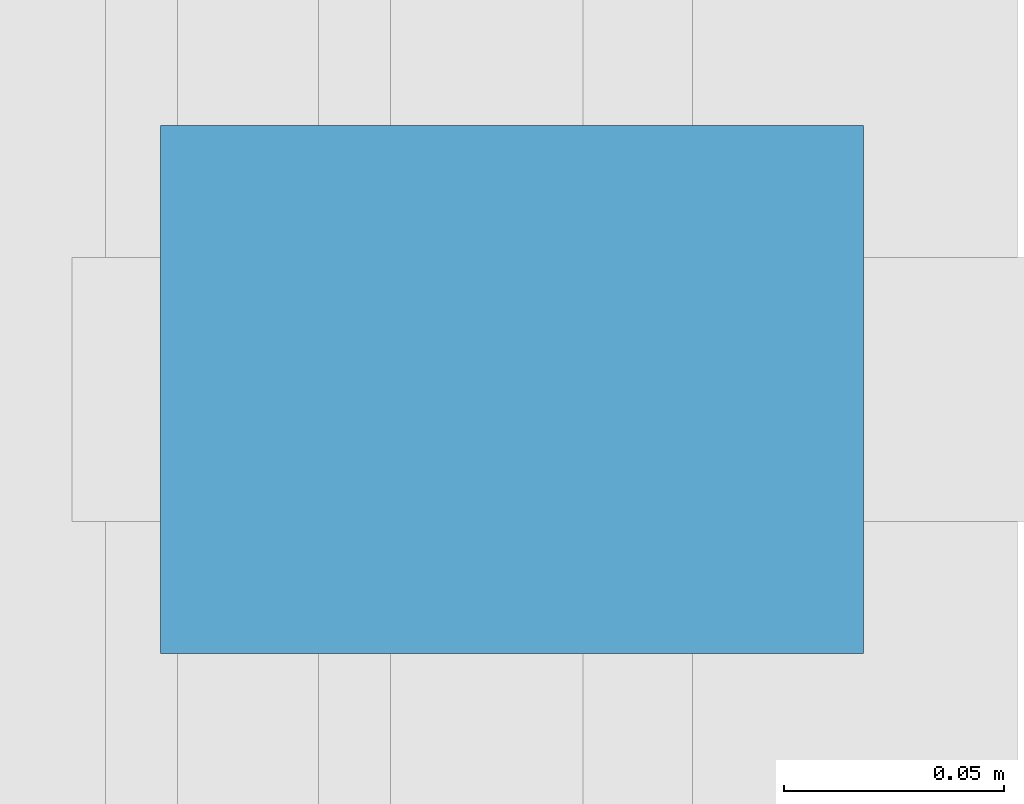
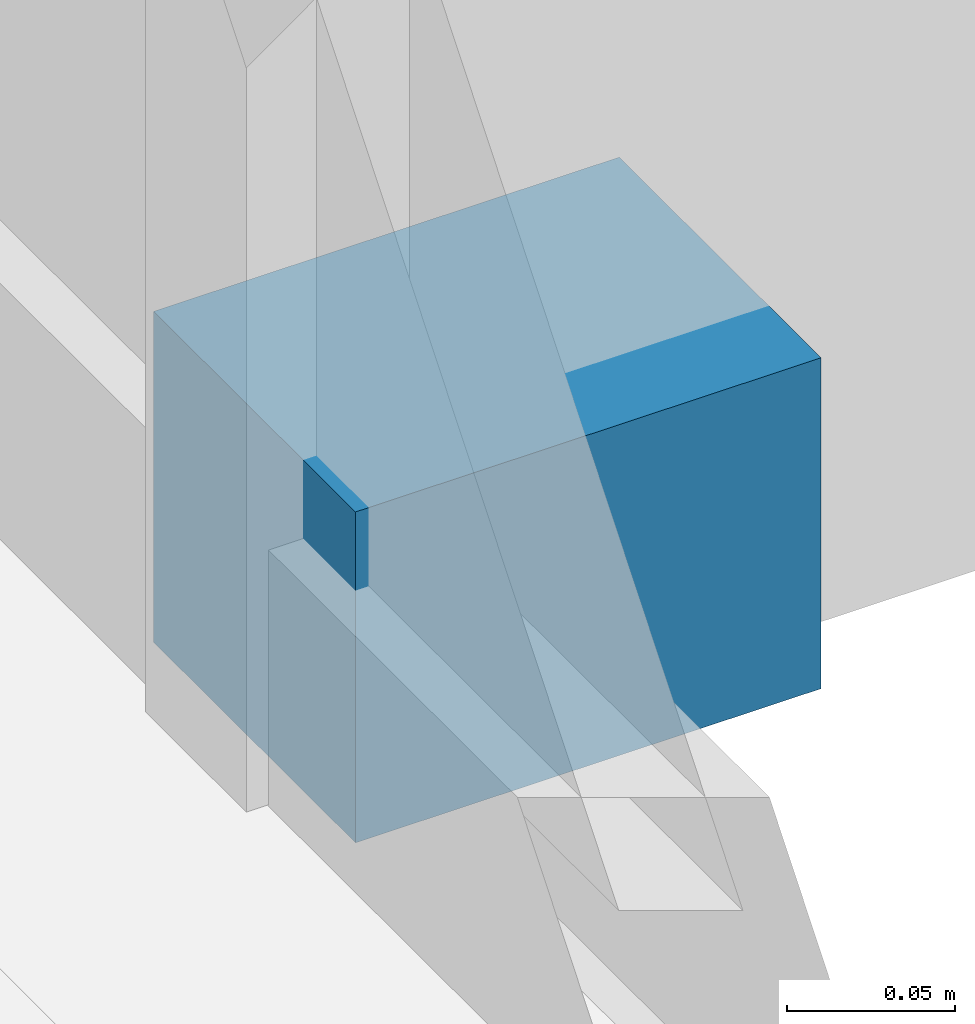
# One storey, part 62 of 92: 1 discrete accessory.
"""IFC4 building model written with IfcOpenShell, lengths in metres."""

from ifc_helpers import new_model, si_unit, direction, frame, origin, origin_2d, place, context, subcontext, project, spatial, rectangle, extrude, material, type_object, element, save


model = new_model("IFC4")

# Units and contexts
model_context = context("Model", 3, precision=1e-05, world=origin(), true_north=direction((0.0, 1.0)))
body_context = subcontext(model_context, "Body", "Model", "MODEL_VIEW")
ifc_project = project(units=[si_unit("LENGTHUNIT", "METRE"), si_unit("AREAUNIT", "SQUARE_METRE"), si_unit("VOLUMEUNIT", "CUBIC_METRE"), si_unit("PLANEANGLEUNIT", "RADIAN"), si_unit("MASSUNIT", "GRAM", prefix="KILO")], contexts=[model_context])

# Site, building, storey
site_placement = place(None, origin())
site = spatial("IfcSite", under=ifc_project, at=site_placement, CompositionType="ELEMENT")
building_placement = place(site_placement, origin())
building = spatial("IfcBuilding", under=site, at=building_placement, Name="Namkhue Oval Health Centre", CompositionType="ELEMENT")
storey_placement = place(building_placement, frame((0.0, 0.0, 4.800048828125)))
storey = spatial("IfcBuildingStorey", under=building, at=storey_placement, Name="L01", CompositionType="ELEMENT", Elevation=4.800048828125)

# Discrete accessory
ifc_material = material(Name="Structural steel S355JR (TCVN CCT38)", Category="steel")
discrete_accessory_type = type_object("IfcDiscreteAccessoryType", Name="FACADE SHADING BRACKET", PredefinedType="BRACKET", material=ifc_material)
discrete_accessory_placement = place(storey_placement, frame((122.4599609375, 100.800048828125, 0.0), z_axis=(0.0, 0.0, 1.0), x_axis=(1.0, 0.0, 0.0)))
element("IfcDiscreteAccessory", 1, at=discrete_accessory_placement, inside=storey, type_object=discrete_accessory_type, Name="Solar Fin Bracket 135", PredefinedType="BRACKET", context=body_context, shape_type="SweptSolid", body=[
    extrude(rectangle(XDim=0.159912109375, YDim=0.1201171875, at=origin_2d()), origin(), (0.0, 0.0, 1.0), 0.1201171875),
])

save(model, "model.ifc")
